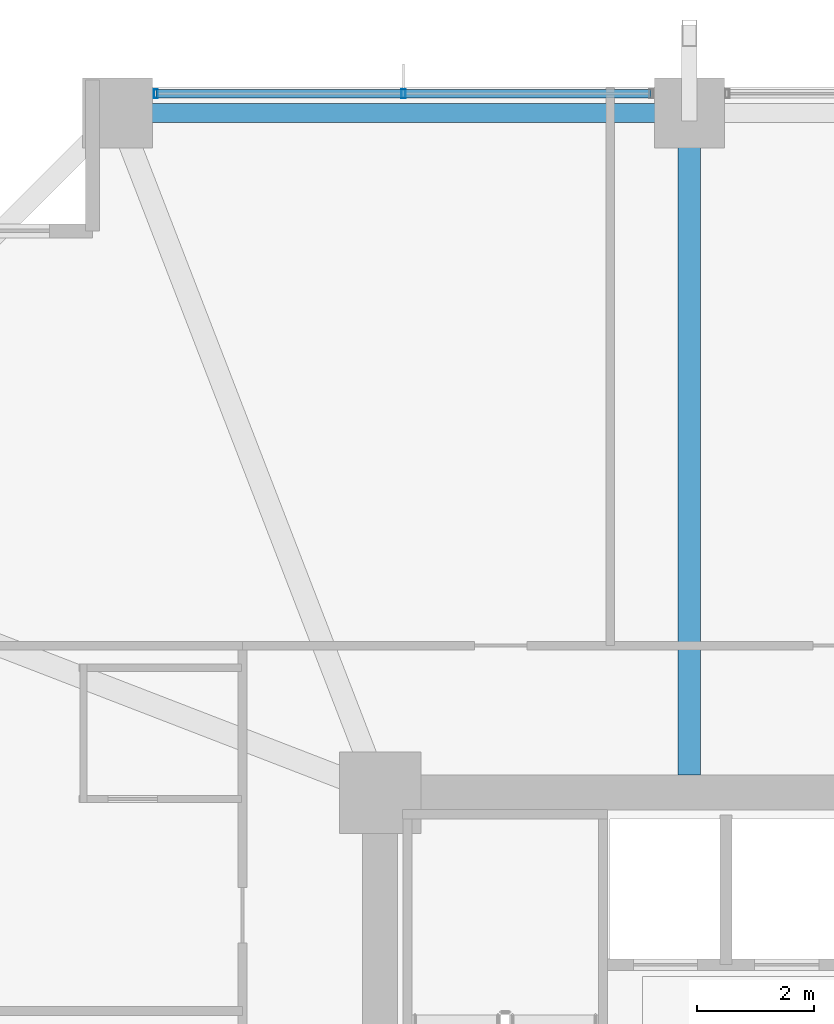
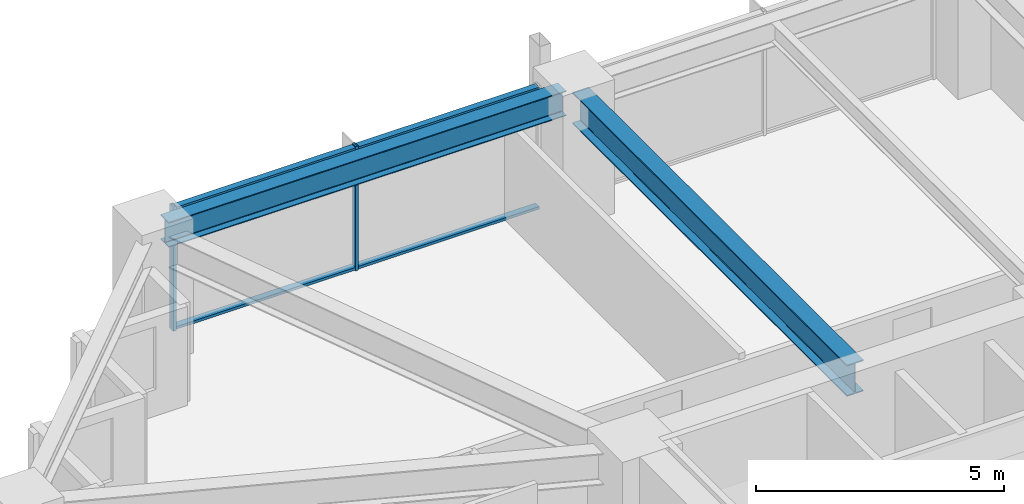
# One storey, part 21 of 38: 4 members, 2 beams, 1 element without a shape of its own.
"""IFC4 building model written with IfcOpenShell, lengths in metres."""

from ifc_helpers import new_model, si_unit, direction, frame, origin, origin_2d, place, context, subcontext, project, spatial, hollow_rectangle, i_section, extrude, material, material_profile, profile_set, type_object, element, aggregate, save


model = new_model("IFC4")

# Units and contexts
model_context = context("Model", 3, precision=1e-05, world=origin(), true_north=direction((0.0, 1.0)))
body_context = subcontext(model_context, "Body", "Model", "MODEL_VIEW")
ifc_project = project(units=[si_unit("LENGTHUNIT", "METRE"), si_unit("AREAUNIT", "SQUARE_METRE"), si_unit("VOLUMEUNIT", "CUBIC_METRE"), si_unit("PLANEANGLEUNIT", "RADIAN"), si_unit("MASSUNIT", "GRAM", prefix="KILO")], contexts=[model_context])

# Site, building, storey
site_placement = place(None, origin())
site = spatial("IfcSite", under=ifc_project, at=site_placement, CompositionType="ELEMENT")
building_placement = place(site_placement, origin())
building = spatial("IfcBuilding", under=site, at=building_placement, Name="Kolvaren Belvedere", CompositionType="ELEMENT")
storey_placement = place(building_placement, frame((0.0, 0.0, 53.5)))
storey = spatial("IfcBuildingStorey", under=building, at=storey_placement, Name="L15", CompositionType="ELEMENT", Elevation=53.5)

# Beams
ifc_material_1 = material(Name="Structural steel ASTM A992 Grade 50", Category="steel")
ifc_material_profile_1 = material_profile(ifc_material_1, i_section(OverallWidth=0.381103515625, OverallDepth=0.77294921875, WebThickness=0.0166015625, FlangeThickness=0.027099609375, FilletRadius=0.02392578125, at=origin_2d()), Name="W30X173")
ifc_profile_set_1 = profile_set([ifc_material_profile_1], Name="Structural steel ASTM A992 Grade 50")
beam_type_1 = type_object("IfcBeamType", Name="BM-GIRD-W30X173", PredefinedType="BEAM", material=ifc_profile_set_1)
beam_1_placement = place(storey_placement, frame((-4.60009765625, 10.199951171875, 2.673583984375), z_axis=(0.0, 1.0, 0.0), x_axis=(-1.0, 0.0, 0.0)))
element("IfcBeam", 1, at=beam_1_placement, inside=storey, type_object=beam_type_1, Name="L15 North Radial Girder M", PredefinedType="BEAM", context=body_context, shape_type="SweptSolid", body=[
    extrude(i_section(OverallWidth=0.381103515625, OverallDepth=0.77294921875, WebThickness=0.0166015625, FlangeThickness=0.027099609375, FilletRadius=0.02392578125, at=origin_2d()), origin(), (0.0, 0.0, 1.0), 11.080078125),
])
ifc_material_2 = material(Name="Structural steel ASTM A992 Grade 50", Category="steel")
ifc_material_profile_2 = material_profile(ifc_material_2, i_section(OverallWidth=0.324951171875, OverallDepth=0.615966796875, WebThickness=0.013916015625, FlangeThickness=0.021484375, FilletRadius=0.02001953125, at=origin_2d()), Name="W24X117")
ifc_profile_set_2 = profile_set([ifc_material_profile_2], Name="Structural steel ASTM A992 Grade 50")
beam_type_2 = type_object("IfcBeamType", Name="BM-SPAN-W24X117", PredefinedType="SPANDREL", material=ifc_profile_set_2)
beam_2_placement = place(storey_placement, frame((-4.8701171875, 21.550048828125, 2.751953125), z_axis=(-1.0, 0.0, 0.0), x_axis=(0.0, -1.0, 0.0)))
element("IfcBeam", 2, at=beam_2_placement, inside=storey, type_object=beam_type_2, Name="L15 Perimeter Spandrel N2-N1", PredefinedType="SPANDREL", context=body_context, shape_type="SweptSolid", body=[
    extrude(i_section(OverallWidth=0.324951171875, OverallDepth=0.615966796875, WebThickness=0.013916015625, FlangeThickness=0.021484375, FilletRadius=0.02001953125, at=origin_2d()), origin(), (0.0, 0.0, 1.0), 9.259765625),
])

# Curtain wall, members
ifc_material_3 = material(Name="Anodised pale-metal aluminium AA 6063-T6", Category="aluminium")
curtain_wall_type = type_object("IfcCurtainWallType", Name="CW-Z1-LOW", PredefinedType="NOTDEFINED", material=ifc_material_3)
curtain_wall_placement = place(storey_placement, origin())
curtain_wall = element("IfcCurtainWall", 3, at=curtain_wall_placement, inside=storey, type_object=curtain_wall_type, Name="L15 Unitised Curtain Wall FCW-L15-N-B1", PredefinedType="NOTDEFINED")
ifc_material_4 = material(Name="Anodised pale-metal aluminium AA 6063-T6", Category="aluminium")
ifc_material_profile_3 = material_profile(ifc_material_4, hollow_rectangle(XDim=0.070068359375, YDim=0.14990234375, WallThickness=0.004150390625, at=origin_2d()), Name="ALU-MUL-150X70")
ifc_profile_set_3 = profile_set([ifc_material_profile_3], Name="Anodised pale-metal aluminium AA 6063-T6")
member_type_1 = type_object("IfcMemberType", Name="CW-MUL-150", PredefinedType="MULLION", material=ifc_profile_set_3)
member_1_placement = place(storey_placement, frame((-13.7451171875, 21.8798828125, 0.0), z_axis=(0.0, 0.0, 1.0), x_axis=(1.0, 0.0, 0.0)))
member_1 = element("IfcMember", 4, at=member_1_placement, type_object=member_type_1, Name="FCW-L15-N-B1 Unitised Mullion 1", PredefinedType="MULLION", context=body_context, shape_type="SweptSolid", body=[
    extrude(hollow_rectangle(XDim=0.070068359375, YDim=0.14990234375, WallThickness=0.004150390625, at=origin_2d()), origin(), (0.0, 0.0, 1.0), 3.06005859375),
])
member_2_placement = place(storey_placement, frame((-9.5, 21.8798828125, 0.0), z_axis=(0.0, 0.0, 1.0), x_axis=(1.0, 0.0, 0.0)))
member_2 = element("IfcMember", 5, at=member_2_placement, type_object=member_type_1, Name="FCW-L15-N-B1 Unitised Mullion 2", PredefinedType="MULLION", context=body_context, shape_type="SweptSolid", body=[
    extrude(hollow_rectangle(XDim=0.070068359375, YDim=0.14990234375, WallThickness=0.004150390625, at=origin_2d()), origin(), (0.0, 0.0, 1.0), 3.06005859375),
])
ifc_material_5 = material(Name="Anodised pale-metal aluminium AA 6063-T6", Category="aluminium")
ifc_material_profile_4 = material_profile(ifc_material_5, hollow_rectangle(XDim=0.06494140625, YDim=0.14990234375, WallThickness=0.00390625, at=origin_2d()), Name="ALU-TRN-150X65")
ifc_profile_set_4 = profile_set([ifc_material_profile_4], Name="Anodised pale-metal aluminium AA 6063-T6")
member_type_2 = type_object("IfcMemberType", Name="CW-TRN-150", PredefinedType="USERDEFINED", material=ifc_profile_set_4)
member_3_placement = place(storey_placement, frame((-13.7451171875, 21.8798828125, 0.06005859375), z_axis=(1.0, 0.0, 0.0), x_axis=(0.0, 0.0, 1.0)))
member_3 = element("IfcMember", 6, at=member_3_placement, type_object=member_type_2, Name="FCW-L15-N-B1 Sill Transom", ObjectType="TRANSOM", PredefinedType="USERDEFINED", context=body_context, shape_type="SweptSolid", body=[
    extrude(hollow_rectangle(XDim=0.06494140625, YDim=0.14990234375, WallThickness=0.00390625, at=origin_2d()), origin(), (0.0, 0.0, 1.0), 8.490234375),
])
member_4_placement = place(storey_placement, frame((-13.7451171875, 21.8798828125, 3.0), z_axis=(1.0, 0.0, 0.0), x_axis=(0.0, 0.0, 1.0)))
member_4 = element("IfcMember", 7, at=member_4_placement, type_object=member_type_2, Name="FCW-L15-N-B1 Head Transom", ObjectType="TRANSOM", PredefinedType="USERDEFINED", context=body_context, shape_type="SweptSolid", body=[
    extrude(hollow_rectangle(XDim=0.06494140625, YDim=0.14990234375, WallThickness=0.00390625, at=origin_2d()), origin(), (0.0, 0.0, 1.0), 8.490234375),
])
aggregate(curtain_wall, [member_1, member_2, member_3, member_4])

save(model, "model.ifc")
